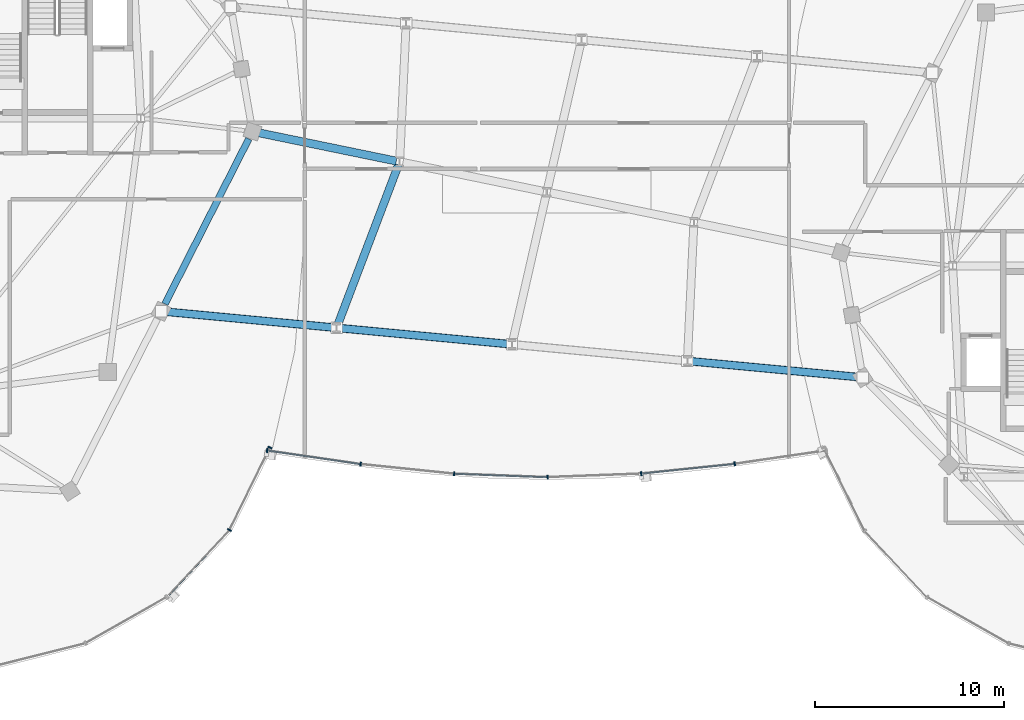
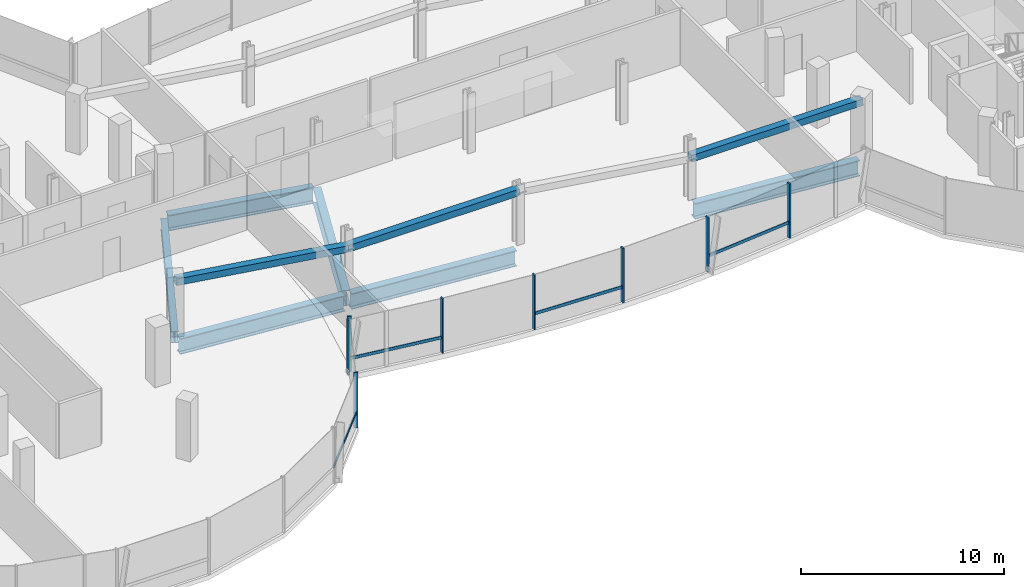
# One storey, part 4 of 25: 15 members, 6 beams, 2 elements without a shape of their own.
"""IFC4 building model written with IfcOpenShell, lengths in metres."""

from ifc_helpers import new_model, si_unit, direction, frame, origin, origin_2d, place, context, subcontext, project, spatial, rectangle, hollow_rectangle, i_section, extrude, material, material_profile, profile_set, type_object, element, aggregate, save


model = new_model("IFC4")

# Units and contexts
model_context = context("Model", 3, precision=1e-05, world=origin(), true_north=direction((0.0, 1.0)))
body_context = subcontext(model_context, "Body", "Model", "MODEL_VIEW")
ifc_project = project(units=[si_unit("LENGTHUNIT", "METRE"), si_unit("AREAUNIT", "SQUARE_METRE"), si_unit("VOLUMEUNIT", "CUBIC_METRE"), si_unit("PLANEANGLEUNIT", "RADIAN"), si_unit("MASSUNIT", "GRAM", prefix="KILO"), si_unit("THERMODYNAMICTEMPERATUREUNIT", "KELVIN"), si_unit("POWERUNIT", "WATT")], contexts=[model_context])

# Site, building, storey
site_placement = place(None, origin())
site = spatial("IfcSite", under=ifc_project, at=site_placement, CompositionType="ELEMENT")
building_placement = place(site_placement, origin())
building = spatial("IfcBuilding", under=site, at=building_placement, Name="Cundina Bronze Exchange", CompositionType="ELEMENT")
storey_placement = place(building_placement, frame((0.0, 0.0, 239.60009765625)))
storey = spatial("IfcBuildingStorey", under=building, at=storey_placement, Name="L63", CompositionType="ELEMENT", Elevation=239.60009765625)

# Beams
ifc_material_1 = material(Name="Steel ASTM A992 Grade 50", Category="steel")
ifc_material_profile_1 = material_profile(ifc_material_1, i_section(OverallWidth=0.35498046875, OverallDepth=0.695068359375, WebThickness=0.015380859375, FlangeThickness=0.02490234375, FilletRadius=0.01806640625, at=origin_2d()), Name="W27X146", Category="steel")
ifc_profile_set_1 = profile_set([ifc_material_profile_1], Name="Steel ASTM A992 Grade 50")
beam_type_1 = type_object("IfcBeamType", Name="BM-RING-W27", PredefinedType="USERDEFINED", material=ifc_profile_set_1)
beam_1_placement = place(storey_placement, frame((-20.1767578125, -5.909423828125, -0.607666015625), z_axis=(0.452846871434, 0.891588308039, 0.0), x_axis=(-0.891588308039, 0.452846871434, 0.0)))
element("IfcBeam", 1, at=beam_1_placement, inside=storey, type_object=beam_type_1, Name="L63 W Perimeter Ring Girder 13", ObjectType="GIRDER", PredefinedType="USERDEFINED", context=body_context, shape_type="SweptSolid", body=[
    extrude(i_section(OverallWidth=0.35498046875, OverallDepth=0.695068359375, WebThickness=0.015380859375, FlangeThickness=0.02490234375, FilletRadius=0.01806640625, at=origin_2d()), origin(), (0.0, 0.0, 1.0), 9.779052734375),
])
ifc_material_profile_2 = material_profile(ifc_material_1, i_section(OverallWidth=0.423095703125, OverallDepth=0.947998046875, WebThickness=0.02392578125, FlangeThickness=0.042724609375, FilletRadius=0.02392578125, at=origin_2d()), Name="W36X302", Category="steel")
ifc_profile_set_2 = profile_set([ifc_material_profile_2], Name="Steel ASTM A992 Grade 50")
beam_type_2 = type_object("IfcBeamType", Name="BM-WRN-W36A", PredefinedType="USERDEFINED", material=ifc_profile_set_2)
for number, where, z_axis, x_axis, name in (
    (2, (-20.19580078125, -6.31689453125, -0.794189453125), (0.995572136276, -0.094000646124, 0.0), (0.094000646124, 0.995572136276, 0.0), "L63 Sky-Gate Longitudinal Girder Y1-P1"),
    (3, (-10.927001953125, -7.19189453125, -0.794189453125), (0.995572136276, -0.094000646124, 0.0), (0.094000646124, 0.995572136276, 0.0), "L63 Sky-Gate Longitudinal Girder Y1-P2"),
):
    element("IfcBeam", number, at=place(storey_placement, frame(where, z_axis=z_axis, x_axis=x_axis)), inside=storey, type_object=beam_type_2, Name=name, ObjectType="GIRDER", PredefinedType="USERDEFINED", context=body_context, shape_type="SweptSolid", body=[
        extrude(i_section(OverallWidth=0.423095703125, OverallDepth=0.947998046875, WebThickness=0.02392578125, FlangeThickness=0.042724609375, FilletRadius=0.02392578125, at=origin_2d()), origin(), (0.0, 0.0, 1.0), 8.949951171875),
    ])
beam_2_placement = place(storey_placement, frame((7.610595703125, -8.94189453125, -0.794189453125), z_axis=(0.995571895232, -0.094003199007, 0.0), x_axis=(0.094003199007, 0.995571895232, 0.0)))
element("IfcBeam", 4, at=beam_2_placement, inside=storey, type_object=beam_type_2, Name="L63 Sky-Gate Longitudinal Girder Y1-P4", ObjectType="GIRDER", PredefinedType="USERDEFINED", context=body_context, shape_type="SweptSolid", body=[
    extrude(i_section(OverallWidth=0.423095703125, OverallDepth=0.947998046875, WebThickness=0.02392578125, FlangeThickness=0.042724609375, FilletRadius=0.02392578125, at=origin_2d()), origin(), (0.0, 0.0, 1.0), 8.94970703125),
])
beam_3_placement = place(storey_placement, frame((-15.373779296875, 3.163818359375, -0.794189453125), z_axis=(0.979471264571, -0.20158383338, 0.0), x_axis=(0.20158383338, 0.979471264571, 0.0)))
element("IfcBeam", 5, at=beam_3_placement, inside=storey, type_object=beam_type_2, Name="L63 Sky-Gate Longitudinal Girder Y2-P1", ObjectType="GIRDER", PredefinedType="USERDEFINED", context=body_context, shape_type="SweptSolid", body=[
    extrude(i_section(OverallWidth=0.423095703125, OverallDepth=0.947998046875, WebThickness=0.02392578125, FlangeThickness=0.042724609375, FilletRadius=0.02392578125, at=origin_2d()), origin(), (0.0, 0.0, 1.0), 7.577880859375),
])
ifc_material_profile_3 = material_profile(ifc_material_1, i_section(OverallWidth=0.41796875, OverallDepth=0.927001953125, WebThickness=0.019287109375, FlangeThickness=0.031982421875, FilletRadius=0.02392578125, at=origin_2d()), Name="W36X231", Category="steel")
ifc_profile_set_3 = profile_set([ifc_material_profile_3], Name="Steel ASTM A992 Grade 50")
beam_type_3 = type_object("IfcBeamType", Name="BM-WRN-W36B", PredefinedType="USERDEFINED", material=ifc_profile_set_3)
beam_4_placement = place(storey_placement, frame((-11.042236328125, -7.006591796875, -0.78369140625), z_axis=(0.354911890514, 0.934899753969, 0.0), x_axis=(-0.934899753969, 0.354911890514, 0.0)))
element("IfcBeam", 6, at=beam_4_placement, inside=storey, type_object=beam_type_3, Name="L63 Sky-Gate Transverse Girder X1-S", ObjectType="GIRDER", PredefinedType="USERDEFINED", context=body_context, shape_type="SweptSolid", body=[
    extrude(i_section(OverallWidth=0.41796875, OverallDepth=0.927001953125, WebThickness=0.019287109375, FlangeThickness=0.031982421875, FilletRadius=0.02392578125, at=origin_2d()), origin(), (0.0, 0.0, 1.0), 9.02587890625),
])

# Curtain wall, members
ifc_material_2 = material(Name="Anodised Bronze Aluminium 6063-T6", Category="aluminium")
curtain_wall_type = type_object("IfcCurtainWallType", Name="CWS-SKG-BRG", PredefinedType="NOTDEFINED", material=ifc_material_2)
curtain_wall_1_placement = place(storey_placement, origin())
curtain_wall_1 = element("IfcCurtainWall", 7, at=curtain_wall_1_placement, inside=storey, type_object=curtain_wall_type, Name="L63 CW-06 Curtain Wall Run CWR-L63-W4", PredefinedType="NOTDEFINED")
ifc_material_profile_4 = material_profile(ifc_material_2, rectangle(XDim=0.074951171875, YDim=0.219970703125, at=origin_2d()), Name="AL75X220", Category="aluminium")
ifc_profile_set_4 = profile_set([ifc_material_profile_4], Name="Anodised Bronze Aluminium 6063-T6")
member_type_1 = type_object("IfcMemberType", Name="CWM-MUL-220", PredefinedType="MULLION", material=ifc_profile_set_4)
member_1_placement = place(storey_placement, frame((-16.7666015625, -17.856689453125, 0.0), z_axis=(0.0, 0.0, 1.0), x_axis=(0.440566004113, 0.897720221461, 0.0)))
member_1 = element("IfcMember", 8, at=member_1_placement, type_object=member_type_1, Name="CW-06 Mullion 2", PredefinedType="MULLION", context=body_context, shape_type="SweptSolid", body=[
    extrude(rectangle(XDim=0.074951171875, YDim=0.219970703125, at=origin_2d()), origin(), (0.0, 0.0, 1.0), 3.33984375),
])
member_2_placement = place(storey_placement, frame((-14.630859375, -13.50390625, 0.0), z_axis=(0.0, 0.0, 1.0), x_axis=(0.440566004113, 0.897720221461, 0.0)))
member_2 = element("IfcMember", 9, at=member_2_placement, type_object=member_type_1, Name="CW-06 End Mullion", PredefinedType="MULLION", context=body_context, shape_type="SweptSolid", body=[
    extrude(rectangle(XDim=0.074951171875, YDim=0.219970703125, at=origin_2d()), origin(), (0.0, 0.0, 1.0), 3.33984375),
])

curtain_wall_2_placement = place(storey_placement, origin())
curtain_wall_2 = element("IfcCurtainWall", 10, at=curtain_wall_2_placement, inside=storey, type_object=curtain_wall_type, Name="L63 CW-06 Curtain Wall Run CWR-L63-BRGS", PredefinedType="NOTDEFINED")
member_3_placement = place(storey_placement, frame((-14.779296875, -13.658935546875, 0.0), z_axis=(0.0, 0.0, 1.0), x_axis=(0.989525789069, -0.144356201001, 0.0)))
member_3 = element("IfcMember", 11, at=member_3_placement, type_object=member_type_1, Name="CW-06 Mullion 1", PredefinedType="MULLION", context=body_context, shape_type="SweptSolid", body=[
    extrude(rectangle(XDim=0.074951171875, YDim=0.219970703125, at=origin_2d()), origin(), (0.0, 0.0, 1.0), 3.27978515625),
])
member_4_placement = place(storey_placement, frame((-9.83447265625, -14.378173828125, 0.0), z_axis=(0.0, 0.0, 1.0), x_axis=(0.994666875153, -0.103139747302, 0.0)))
member_4 = element("IfcMember", 12, at=member_4_placement, type_object=member_type_1, Name="CW-06 Mullion 2", PredefinedType="MULLION", context=body_context, shape_type="SweptSolid", body=[
    extrude(rectangle(XDim=0.074951171875, YDim=0.219970703125, at=origin_2d()), origin(), (0.0, 0.0, 1.0), 3.27978515625),
])
member_5_placement = place(storey_placement, frame((-4.892578125, -14.88720703125, 0.0), z_axis=(0.0, 0.0, 1.0), x_axis=(0.999302568116, -0.037341362551, 0.0)))
member_5 = element("IfcMember", 13, at=member_5_placement, type_object=member_type_1, Name="CW-06 Mullion 3", PredefinedType="MULLION", context=body_context, shape_type="SweptSolid", body=[
    extrude(rectangle(XDim=0.074951171875, YDim=0.219970703125, at=origin_2d()), origin(), (0.0, 0.0, 1.0), 3.27978515625),
])
member_6_placement = place(storey_placement, frame((0.047607421875, -15.068115234375, 0.0), z_axis=(0.0, 0.0, 1.0), x_axis=(0.999302568116, 0.037341362551, 0.0)))
member_6 = element("IfcMember", 14, at=member_6_placement, type_object=member_type_1, Name="CW-06 Mullion 4", PredefinedType="MULLION", context=body_context, shape_type="SweptSolid", body=[
    extrude(rectangle(XDim=0.074951171875, YDim=0.219970703125, at=origin_2d()), origin(), (0.0, 0.0, 1.0), 3.27978515625),
])
member_7_placement = place(storey_placement, frame((4.98876953125, -14.88037109375, 0.0), z_axis=(0.0, 0.0, 1.0), x_axis=(0.994666875153, 0.103139747302, 0.0)))
member_7 = element("IfcMember", 15, at=member_7_placement, type_object=member_type_1, Name="CW-06 Mullion 5", PredefinedType="MULLION", context=body_context, shape_type="SweptSolid", body=[
    extrude(rectangle(XDim=0.074951171875, YDim=0.219970703125, at=origin_2d()), origin(), (0.0, 0.0, 1.0), 3.27978515625),
])
member_8_placement = place(storey_placement, frame((9.93310546875, -14.36572265625, 0.0), z_axis=(0.0, 0.0, 1.0), x_axis=(0.989525789069, 0.144356201001, 0.0)))
member_8 = element("IfcMember", 16, at=member_8_placement, type_object=member_type_1, Name="CW-06 Mullion 6", PredefinedType="MULLION", context=body_context, shape_type="SweptSolid", body=[
    extrude(rectangle(XDim=0.074951171875, YDim=0.219970703125, at=origin_2d()), origin(), (0.0, 0.0, 1.0), 3.27978515625),
])

# Member
ifc_material_profile_5 = material_profile(ifc_material_2, rectangle(XDim=0.070068359375, YDim=0.179931640625, at=origin_2d()), Name="AL70X180", Category="aluminium")
ifc_profile_set_5 = profile_set([ifc_material_profile_5], Name="Anodised Bronze Aluminium 6063-T6")
member_type_2 = type_object("IfcMemberType", Name="CWM-TRN-180", PredefinedType="USERDEFINED", material=ifc_profile_set_5)
member_9_placement = place(storey_placement, frame((-20.031494140625, -21.349609375, 0.919921875), z_axis=(0.684328474899, 0.729173873944, 0.0), x_axis=(-0.729173873944, 0.684328474899, 0.0)))
member_9 = element("IfcMember", 17, at=member_9_placement, type_object=member_type_2, Name="CW-06 Spandrel Transom 1", ObjectType="TRANSOM", PredefinedType="USERDEFINED", context=body_context, shape_type="SweptSolid", body=[
    extrude(rectangle(XDim=0.070068359375, YDim=0.179931640625, at=origin_2d()), origin(), (0.0, 0.0, 1.0), 4.758056640625),
])

aggregate(curtain_wall_1, [member_9, member_1, member_2])

member_10_placement = place(storey_placement, frame((-14.738525390625, -13.664794921875, 0.918212890625), z_axis=(0.989531497997, -0.144317062302, 0.0), x_axis=(0.144317062302, 0.989531497997, 0.0)))
member_10 = element("IfcMember", 18, at=member_10_placement, type_object=member_type_2, Name="CW-06 Spandrel Transom 1", ObjectType="TRANSOM", PredefinedType="USERDEFINED", context=body_context, shape_type="SweptSolid", body=[
    extrude(rectangle(XDim=0.070068359375, YDim=0.179931640625, at=origin_2d()), origin(), (0.0, 0.0, 1.0), 4.8974609375),
])

member_11_placement = place(storey_placement, frame((-4.8515625, -14.888671875, 0.918212890625), z_axis=(0.999303683555, -0.037311500026, 0.0), x_axis=(0.037311500026, 0.999303683555, 0.0)))
member_11 = element("IfcMember", 19, at=member_11_placement, type_object=member_type_2, Name="CW-06 Spandrel Transom 3", ObjectType="TRANSOM", PredefinedType="USERDEFINED", context=body_context, shape_type="SweptSolid", body=[
    extrude(rectangle(XDim=0.070068359375, YDim=0.179931640625, at=origin_2d()), origin(), (0.0, 0.0, 1.0), 4.8486328125),
])

member_12_placement = place(storey_placement, frame((5.02978515625, -14.8759765625, 0.918212890625), z_axis=(0.994672497027, 0.103085516243, 0.0), x_axis=(-0.103085516243, 0.994672497027, 0.0)))
member_12 = element("IfcMember", 20, at=member_12_placement, type_object=member_type_2, Name="CW-06 Spandrel Transom 5", ObjectType="TRANSOM", PredefinedType="USERDEFINED", context=body_context, shape_type="SweptSolid", body=[
    extrude(rectangle(XDim=0.070068359375, YDim=0.179931640625, at=origin_2d()), origin(), (0.0, 0.0, 1.0), 4.87158203125),
])

aggregate(curtain_wall_2, [member_3, member_10, member_4, member_5, member_11, member_6, member_7, member_12, member_8])

# Members
ifc_material_3 = material(Name="Steel ASTM A500 Grade C", Category="steel")
ifc_material_profile_6 = material_profile(ifc_material_3, hollow_rectangle(XDim=0.39990234375, YDim=0.39990234375, WallThickness=0.02197265625, at=origin_2d()), Name="HSS400X400X22", Category="steel")
ifc_profile_set_6 = profile_set([ifc_material_profile_6], Name="Steel ASTM A500 Grade C")
member_type_3 = type_object("IfcMemberType", Name="MBR-WRN-HSS400", PredefinedType="BRACE", material=ifc_profile_set_6)
for number, where, z_axis, x_axis, name in (
    (21, (-20.375, -6.300048828125, 3.1298828125), (0.992691432213, -0.093712790545, -0.07603705215), (0.093984877441, 0.995573625008, 0.0), "L63 Sky-Gate Warren Truss Diagonal Y1-P1"),
    (22, (-11.106201171875, -7.175048828125, 2.419921875), (0.992691432213, -0.093712790545, 0.07603705215), (0.093984877441, 0.995573625008, 0.0), "L63 Sky-Gate Warren Truss Diagonal Y1-P2"),
):
    element("IfcMember", number, at=place(storey_placement, frame(where, z_axis=z_axis, x_axis=x_axis)), inside=storey, type_object=member_type_3, Name=name, PredefinedType="BRACE", context=body_context, shape_type="SweptSolid", body=[
        extrude(hollow_rectangle(XDim=0.39990234375, YDim=0.39990234375, WallThickness=0.02197265625, at=origin_2d()), origin(), (0.0, 0.0, 1.0), 9.337158203125),
    ])
member_13_placement = place(storey_placement, frame((7.431396484375, -8.925048828125, 2.419921875), z_axis=(0.992691051392, -0.093715223058, 0.076039025852), x_axis=(0.093987331204, 0.995573393363, 0.0)))
element("IfcMember", 23, at=member_13_placement, inside=storey, type_object=member_type_3, Name="L63 Sky-Gate Warren Truss Diagonal Y1-P4", PredefinedType="BRACE", context=body_context, shape_type="SweptSolid", body=[
    extrude(hollow_rectangle(XDim=0.39990234375, YDim=0.39990234375, WallThickness=0.02197265625, at=origin_2d()), origin(), (0.0, 0.0, 1.0), 9.3369140625),
])

save(model, "model.ifc")
